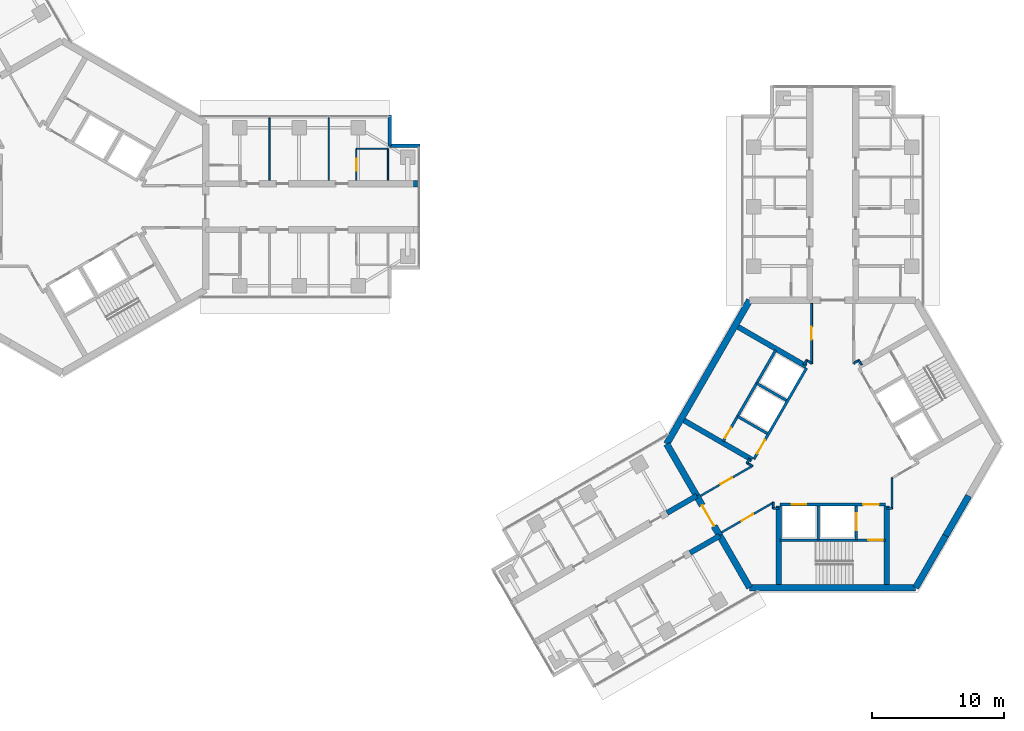
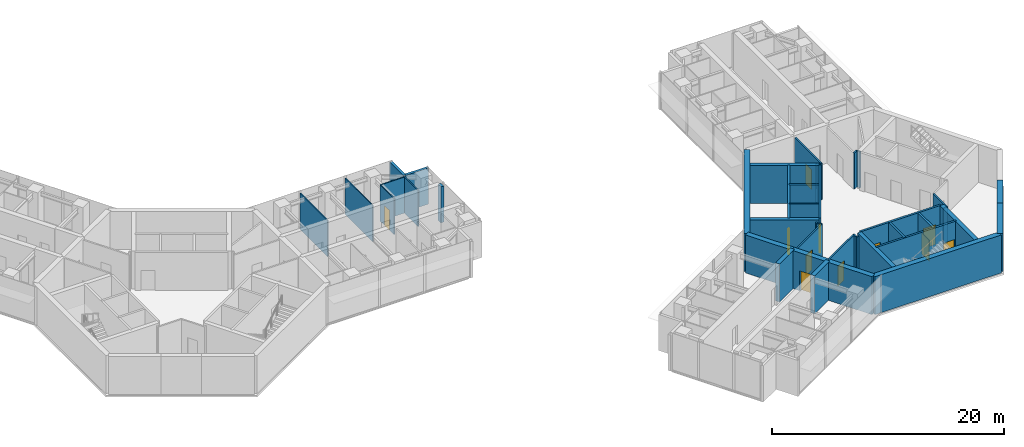
# One storey, part 14 of 18: 42 walls, 11 doors, 11 openings.
"""IFC4 building model written with IfcOpenShell, lengths in metres."""

from ifc_helpers import new_model, si_unit, direction, frame, frame_2d, origin, place, context, subcontext, project, spatial, rectangle, extrude, material, layer, layer_set, type_object, element, fill, save


model = new_model("IFC4")

# Units and contexts
model_context = context("Model", 3, precision=1e-05, world=origin(), true_north=direction((0.0, 1.0)))
body_context = subcontext(model_context, "Body", "Model", "MODEL_VIEW")
ifc_project = project(units=[si_unit("LENGTHUNIT", "METRE"), si_unit("AREAUNIT", "SQUARE_METRE"), si_unit("VOLUMEUNIT", "CUBIC_METRE"), si_unit("PLANEANGLEUNIT", "RADIAN"), si_unit("MASSUNIT", "GRAM", prefix="KILO")], contexts=[model_context])

# Site, building, storey
site_placement = place(None, origin())
site = spatial("IfcSite", under=ifc_project, at=site_placement, CompositionType="ELEMENT")
building_placement = place(site_placement, origin())
building = spatial("IfcBuilding", under=site, at=building_placement, Name="Upepo Twin Towers", CompositionType="ELEMENT")
storey_placement = place(building_placement, frame((0.0, 0.0, 218.5)))
storey = spatial("IfcBuildingStorey", under=building, at=storey_placement, Name="L53", CompositionType="ELEMENT", Elevation=218.5)

# Walls
ifc_material_1 = material(Name="Dense concrete blockwork", Category="masonry")
ifc_layer_1 = layer(ifc_material_1, 0.5)
ifc_layer_set_1 = layer_set([ifc_layer_1], Name="Buttress closer 500, blockwork with fire-stopping to the curtain wall")
wall_type_1 = type_object("IfcWallType", Name="Buttress closer 500, blockwork with fire-stopping to the curtain wall", PredefinedType="PARTITIONING", material=ifc_layer_set_1)
wall_1_placement = place(storey_placement, frame((26.699951171875, 1.75, 0.0), z_axis=(0.0, 0.0, 1.0), x_axis=(1.0, 0.0, 0.0)))
element("IfcWall", 1, at=wall_1_placement, inside=storey, type_object=wall_type_1, Name="T1 L53 wing A buttress closer L", PredefinedType="PARTITIONING", context=body_context, shape_type="SweptSolid", body=[
    extrude(rectangle(XDim=0.28759765625, YDim=0.5, at=frame_2d((0.143798828125, 0.0))), origin(), (0.0, 0.0, 1.0), 3.800048828125),
])
ifc_material_2 = material(Name="Concrete C60/75", Category="concrete")
ifc_layer_2 = layer(ifc_material_2, 0.39990234375)
ifc_layer_set_2 = layer_set([ifc_layer_2], Name="Concrete C60/75")
wall_type_2 = type_object("IfcWallType", Name="Buttress wall 400 RC", PredefinedType="SHEAR", material=ifc_layer_set_2)
for number, where, z_axis, x_axis, name in (
    (2, (49.92822265625, -24.9697265625, 0.0), (0.0, 0.0, 1.0), (-0.866031863473, -0.499988811324, 0.0), "T2 wing B buttress wall L"),
    (3, (48.17822265625, -21.938720703125, 0.0), (0.0, 0.0, 1.0), (-0.866072649678, -0.499918158782, 0.0), "T2 wing B buttress wall R"),
):
    element("IfcWall", number, at=place(storey_placement, frame(where, z_axis=z_axis, x_axis=x_axis)), inside=storey, type_object=wall_type_2, Name=name, PredefinedType="SHEAR", context=body_context, shape_type="SweptSolid", body=[
        extrude(rectangle(XDim=2.591796875, YDim=0.39990234375, at=frame_2d((1.2958984375, 0.0))), origin(), (0.0, 0.0, 1.0), 4.0),
    ])
ifc_material_3 = material(Name="Concrete C60/75", Category="concrete")
ifc_layer_3 = layer(ifc_material_3, 0.5)
ifc_layer_set_3 = layer_set([ifc_layer_3], Name="Concrete C60/75")
wall_type_3 = type_object("IfcWallType", Name="Core wall 500 RC", PredefinedType="SHEAR", material=ifc_layer_set_3)
wall_2_placement = place(storey_placement, frame((52.2021484375, -7.091552734375, 0.0), z_axis=(0.0, 0.0, 1.0), x_axis=(-0.500005998175, -0.866021940709, 0.0)))
element("IfcWall", 4, at=wall_2_placement, inside=storey, type_object=wall_type_3, Name="T2 core wall 060", PredefinedType="SHEAR", context=body_context, shape_type="SweptSolid", body=[
    extrude(rectangle(XDim=12.595947265625, YDim=0.5, at=frame_2d((6.2978515625, 0.0))), origin(), (0.0, 0.0, 1.0), 4.0),
])
wall_3_placement = place(storey_placement, frame((45.904052734375, -18.0, 0.0), z_axis=(0.0, 0.0, 1.0), x_axis=(0.500024481964, -0.866011268655, 0.0)))
element("IfcWall", 5, at=wall_3_placement, inside=storey, type_object=wall_type_3, Name="T2 core wall 120 R", PredefinedType="SHEAR", context=body_context, shape_type="SweptSolid", body=[
    extrude(rectangle(XDim=4.548095703125, YDim=0.5, at=frame_2d((2.27392578125, 0.0))), origin(), (0.0, 0.0, 1.0), 4.0),
])

# Wall, opening, door
wall_4_placement = place(storey_placement, frame((48.17822265625, -21.938720703125, 0.0), z_axis=(0.0, 0.0, 1.0), x_axis=(0.500010275428, -0.866019471182, 0.0)))
wall_4 = element("IfcWall", 6, at=wall_4_placement, inside=storey, type_object=wall_type_3, Name="T2 core wall 120", PredefinedType="SHEAR", context=body_context, shape_type="SweptSolid", body=[
    extrude(rectangle(XDim=3.5, YDim=0.5, at=frame_2d((1.75, 0.0))), origin(), (0.0, 0.0, 1.0), 4.0),
])
opening_1_placement = place(wall_4_placement, frame((0.85009765625, 0.0, 0.0)))
opening_1 = element("IfcOpeningElement", 7, at=opening_1_placement, cuts=wall_4, Name="Opening D2", PredefinedType="OPENING", context=body_context, shape_type="SweptSolid", body=[
    extrude(rectangle(XDim=1.800048828125, YDim=2.10009765625, at=frame_2d((0.89990234375, 1.050048828125))), frame((0.0, 0.260009765625, 0.0), z_axis=(0.0, -1.0, 0.0), x_axis=(1.0, 0.0, 0.0)), (0.0, 0.0, 1.0), 0.52001953125),
])
ifc_material_4 = material(Name="Timber doorset", Category="wood")
door_type_1 = type_object("IfcDoorType", Name="Corridor double door 1800 FD60", OperationType="DOUBLE_DOOR_DOUBLE_SWING", PredefinedType="DOOR", material=ifc_material_4)
door_1_placement = place(opening_1_placement, origin())
door_1 = element("IfcDoor", 8, at=door_1_placement, inside=storey, type_object=door_type_1, Name="T2 L53 wing B corridor door", OperationType="DOUBLE_DOOR_DOUBLE_SWING", OverallHeight=2.10009765625, OverallWidth=1.800048828125, PredefinedType="DOOR", context=body_context, shape_type="SweptSolid", body=[
    extrude(rectangle(XDim=1.800048828125, YDim=2.10009765625, at=frame_2d((0.89990234375, 1.050048828125))), frame((0.0, 0.02490234375, 0.0), z_axis=(0.0, -1.0, 0.0), x_axis=(1.0, 0.0, 0.0)), (0.0, 0.0, 1.0), 0.050048828125),
])
fill(opening_1, door_1)

# Walls
wall_5_placement = place(storey_placement, frame((49.92822265625, -24.9697265625, 0.0), z_axis=(0.0, 0.0, 1.0), x_axis=(0.499984222037, -0.866034513004, 0.0)))
element("IfcWall", 9, at=wall_5_placement, inside=storey, type_object=wall_type_3, Name="T2 core wall 120 L", PredefinedType="SHEAR", context=body_context, shape_type="SweptSolid", body=[
    extrude(rectangle(XDim=4.548095703125, YDim=0.5, at=frame_2d((2.27392578125, 0.0))), origin(), (0.0, 0.0, 1.0), 4.0),
])
wall_6_placement = place(storey_placement, frame((52.2021484375, -28.908447265625, 0.0), z_axis=(0.0, 0.0, 1.0), x_axis=(1.0, 0.0, 0.0)))
element("IfcWall", 10, at=wall_6_placement, inside=storey, type_object=wall_type_3, Name="T2 core wall 180", PredefinedType="SHEAR", context=body_context, shape_type="SweptSolid", body=[
    extrude(rectangle(XDim=12.595703125, YDim=0.5, at=frame_2d((6.2978515625, 0.0))), origin(), (0.0, 0.0, 1.0), 4.0),
])
wall_7_placement = place(storey_placement, frame((64.7978515625, -28.908447265625, 0.0), z_axis=(0.0, 0.0, 1.0), x_axis=(0.499984222037, 0.866034513004, 0.0)))
element("IfcWall", 11, at=wall_7_placement, inside=storey, type_object=wall_type_3, Name="T2 core wall 240 R", PredefinedType="SHEAR", context=body_context, shape_type="SweptSolid", body=[
    extrude(rectangle(XDim=4.548095703125, YDim=0.5, at=frame_2d((2.27392578125, 0.0))), origin(), (0.0, 0.0, 1.0), 4.0),
])
wall_8_placement = place(storey_placement, frame((67.07177734375, -24.9697265625, 0.0), z_axis=(0.0, 0.0, 1.0), x_axis=(0.500010275428, 0.866019471182, 0.0)))
element("IfcWall", 12, at=wall_8_placement, inside=storey, type_object=wall_type_3, Name="T2 core wall 240", PredefinedType="SHEAR", context=body_context, shape_type="SweptSolid", body=[
    extrude(rectangle(XDim=3.5, YDim=0.5, at=frame_2d((1.75, 0.0))), origin(), (0.0, 0.0, 1.0), 4.0),
])
ifc_material_5 = material(Name="Blockwork with anodised aluminium cladding", Category="masonry")
ifc_layer_4 = layer(ifc_material_5, 0.25)
ifc_layer_set_4 = layer_set([ifc_layer_4], Name="Notch cladding wall 250, pale metal")
wall_type_4 = type_object("IfcWallType", Name="Notch cladding wall 250, pale metal", PredefinedType="STANDARD", material=ifc_layer_set_4)
for number, where, z_axis, x_axis, name in (
    (13, (24.875, 6.949951171875, 0.0), (0.0, 0.0, 1.0), (0.0, -1.0, 0.0), "T1 L53 wing A notch wall L1"),
    (14, (24.875, 4.625, 0.0), (0.0, 0.0, 1.0), (1.0, 0.0, 0.0), "T1 L53 wing A notch wall L2"),
):
    element("IfcWall", number, at=place(storey_placement, frame(where, z_axis=z_axis, x_axis=x_axis)), inside=storey, type_object=wall_type_4, Name=name, PredefinedType="STANDARD", context=body_context, shape_type="SweptSolid", body=[
        extrude(rectangle(XDim=2.324951171875, YDim=0.25, at=frame_2d((1.16259765625, 0.0))), origin(), (0.0, 0.0, 1.0), 3.800048828125),
    ])
ifc_material_6 = material(Name="Gypsum board on steel studs", Category="steel")
ifc_layer_5 = layer(ifc_material_6, 0.10009765625)
ifc_layer_set_5 = layer_set([ifc_layer_5], Name="Office partition 100 stud")
wall_type_5 = type_object("IfcWallType", Name="Office partition 100 stud", PredefinedType="PARTITIONING", material=ifc_layer_set_5)
for number, where, z_axis, x_axis, name in (
    (15, (15.75, 2.0, 0.0), (0.0, 0.0, 1.0), (0.0, 1.0, 0.0), "T1 partition AL at 15.75"),
    (16, (20.25, 2.0, 0.0), (0.0, 0.0, 1.0), (0.0, 1.0, 0.0), "T1 partition AL at 20.25"),
):
    element("IfcWall", number, at=place(storey_placement, frame(where, z_axis=z_axis, x_axis=x_axis)), inside=storey, type_object=wall_type_5, Name=name, PredefinedType="PARTITIONING", context=body_context, shape_type="SweptSolid", body=[
        extrude(rectangle(XDim=4.75, YDim=0.10009765625, at=frame_2d((2.375, 0.0))), origin(), (0.0, 0.0, 1.0), 3.800048828125),
    ])
wall_9_placement = place(storey_placement, frame((22.35009765625, 4.39990234375, 0.0), z_axis=(0.0, 0.0, 1.0), x_axis=(1.0, 0.0, 0.0)))
element("IfcWall", 17, at=wall_9_placement, inside=storey, type_object=wall_type_5, Name="T1 inner room partition AL at 22.35", PredefinedType="PARTITIONING", context=body_context, shape_type="SweptSolid", body=[
    extrude(rectangle(XDim=2.39990234375, YDim=0.10009765625, at=frame_2d((1.199951171875, 0.0))), origin(), (0.0, 0.0, 1.0), 3.800048828125),
])

# Wall, opening, door
wall_10_placement = place(storey_placement, frame((22.35009765625, 2.0, 0.0), z_axis=(0.0, 0.0, 1.0), x_axis=(0.0, 1.0, 0.0)))
wall_10 = element("IfcWall", 18, at=wall_10_placement, inside=storey, type_object=wall_type_5, Name="T1 inner room partition AL end at 22.35", PredefinedType="PARTITIONING", context=body_context, shape_type="SweptSolid", body=[
    extrude(rectangle(XDim=2.39990234375, YDim=0.10009765625, at=frame_2d((1.199951171875, 0.0))), origin(), (0.0, 0.0, 1.0), 3.800048828125),
])
opening_2_placement = place(wall_10_placement, frame((0.75, 0.0, 0.0)))
opening_2 = element("IfcOpeningElement", 19, at=opening_2_placement, cuts=wall_10, Name="Opening D14", PredefinedType="OPENING", context=body_context, shape_type="SweptSolid", body=[
    extrude(rectangle(XDim=0.89990234375, YDim=2.10009765625, at=frame_2d((0.449951171875, 1.050048828125))), frame((0.0, 0.06005859375, 0.0), z_axis=(0.0, -1.0, 0.0), x_axis=(1.0, 0.0, 0.0)), (0.0, 0.0, 1.0), 0.1201171875),
])
ifc_material_7 = material(Name="Timber doorset", Category="wood")
door_type_2 = type_object("IfcDoorType", Name="Office door 900 FD30", OperationType="SINGLE_SWING_LEFT", PredefinedType="DOOR", material=ifc_material_7)
door_2_placement = place(opening_2_placement, origin())
door_2 = element("IfcDoor", 20, at=door_2_placement, inside=storey, type_object=door_type_2, Name="T1 L53 inner room door", OperationType="SINGLE_SWING_LEFT", OverallHeight=2.10009765625, OverallWidth=0.89990234375, PredefinedType="DOOR", context=body_context, shape_type="SweptSolid", body=[
    extrude(rectangle(XDim=0.89990234375, YDim=2.10009765625, at=frame_2d((0.449951171875, 1.050048828125))), frame((0.0, 0.02490234375, 0.0), z_axis=(0.0, -1.0, 0.0), x_axis=(1.0, 0.0, 0.0)), (0.0, 0.0, 1.0), 0.050048828125),
])
fill(opening_2, door_2)

# Wall
wall_11_placement = place(storey_placement, frame((24.75, 2.0, 0.0), z_axis=(0.0, 0.0, 1.0), x_axis=(0.0, 1.0, 0.0)))
element("IfcWall", 21, at=wall_11_placement, inside=storey, type_object=wall_type_5, Name="T1 inner room partition AL end at 24.75", PredefinedType="PARTITIONING", context=body_context, shape_type="SweptSolid", body=[
    extrude(rectangle(XDim=2.39990234375, YDim=0.10009765625, at=frame_2d((1.199951171875, 0.0))), origin(), (0.0, 0.0, 1.0), 3.800048828125),
])

# Wall, opening, door
ifc_material_8 = material(Name="Concrete C40/50", Category="concrete")
ifc_layer_6 = layer(ifc_material_8, 0.199951171875)
ifc_layer_set_6 = layer_set([ifc_layer_6], Name="Concrete C40/50")
wall_type_6 = type_object("IfcWallType", Name="Shaft wall 200 RC", PredefinedType="SHEAR", material=ifc_layer_set_6)
wall_12_placement = place(storey_placement, frame((56.516357421875, -12.23583984375, 0.0), z_axis=(0.0, 0.0, 1.0), x_axis=(-0.49999894854, -0.866026010844, 0.0)))
wall_12 = element("IfcWall", 22, at=wall_12_placement, inside=storey, type_object=wall_type_6, Name="T2 core W60 front wall", PredefinedType="SHEAR", context=body_context, shape_type="SweptSolid", body=[
    extrude(rectangle(XDim=8.0, YDim=0.199951171875, at=frame_2d((4.0, 0.0))), origin(), (0.0, 0.0, 1.0), 4.0),
])
opening_3_placement = place(wall_12_placement, frame((6.300048828125, 0.0, 0.0)))
opening_3 = element("IfcOpeningElement", 23, at=opening_3_placement, cuts=wall_12, Name="Opening D4", PredefinedType="OPENING", context=body_context, shape_type="SweptSolid", body=[
    extrude(rectangle(XDim=1.199951171875, YDim=2.10009765625, at=frame_2d((0.60009765625, 1.050048828125))), frame((0.0, 0.10986328125, 0.0), z_axis=(0.0, -1.0, 0.0), x_axis=(1.0, 0.0, 0.0)), (0.0, 0.0, 1.0), 0.219970703125),
])
ifc_material_9 = material(Name="Timber doorset", Category="wood")
door_type_3 = type_object("IfcDoorType", Name="Lobby door 1200 FD60", OperationType="SINGLE_SWING_LEFT", PredefinedType="DOOR", material=ifc_material_9)
door_3_placement = place(opening_3_placement, origin())
door_3 = element("IfcDoor", 24, at=door_3_placement, inside=storey, type_object=door_type_3, Name="T2 L53 W60 lobby door", OperationType="SINGLE_SWING_RIGHT", OverallHeight=2.10009765625, OverallWidth=1.199951171875, PredefinedType="DOOR", context=body_context, shape_type="SweptSolid", body=[
    extrude(rectangle(XDim=1.199951171875, YDim=2.10009765625, at=frame_2d((0.60009765625, 1.050048828125))), frame((0.0, 0.02490234375, 0.0), z_axis=(0.0, -1.0, 0.0), x_axis=(1.0, 0.0, 0.0)), (0.0, 0.0, 1.0), 0.050048828125),
])
fill(opening_3, door_3)

# Walls
for number, where, z_axis, x_axis, name in (
    (25, (54.979736328125, -14.697265625, 0.0), (0.0, 0.0, 1.0), (-0.866062058628, 0.499936506574, 0.0), "T2 core W60 shaft divider"),
    (26, (53.52978515625, -17.208740234375, 0.0), (0.0, 0.0, 1.0), (-0.866062058628, 0.499936506574, 0.0), "T2 core W60 lobby wall"),
):
    element("IfcWall", number, at=place(storey_placement, frame(where, z_axis=z_axis, x_axis=x_axis)), inside=storey, type_object=wall_type_6, Name=name, PredefinedType="SHEAR", context=body_context, shape_type="SweptSolid", body=[
        extrude(rectangle(XDim=2.599853515625, YDim=0.199951171875, at=frame_2d((1.2998046875, 0.0))), origin(), (0.0, 0.0, 1.0), 4.0),
    ])

# Wall, opening, door
wall_13_placement = place(storey_placement, frame((54.177978515625, -10.885986328125, 0.0), z_axis=(0.0, 0.0, 1.0), x_axis=(-0.49999894854, -0.866026010844, 0.0)))
wall_13 = element("IfcWall", 27, at=wall_13_placement, inside=storey, type_object=wall_type_6, Name="T2 core W60 stair wall", PredefinedType="SHEAR", context=body_context, shape_type="SweptSolid", body=[
    extrude(rectangle(XDim=8.0, YDim=0.199951171875, at=frame_2d((4.0, 0.0))), origin(), (0.0, 0.0, 1.0), 4.0),
])
opening_4_placement = place(wall_13_placement, frame((6.800048828125, 0.0, 0.0)))
opening_4 = element("IfcOpeningElement", 28, at=opening_4_placement, cuts=wall_13, Name="Opening D9", PredefinedType="OPENING", context=body_context, shape_type="SweptSolid", body=[
    extrude(rectangle(XDim=0.89990234375, YDim=2.10009765625, at=frame_2d((0.449951171875, 1.050048828125))), frame((0.0, 0.10986328125, 0.0), z_axis=(0.0, -1.0, 0.0), x_axis=(1.0, 0.0, 0.0)), (0.0, 0.0, 1.0), 0.219970703125),
])
ifc_material_10 = material(Name="Timber doorset", Category="wood")
door_type_4 = type_object("IfcDoorType", Name="Riser door 900 FD60", OperationType="SINGLE_SWING_LEFT", PredefinedType="DOOR", material=ifc_material_10)
door_4_placement = place(opening_4_placement, origin())
door_4 = element("IfcDoor", 29, at=door_4_placement, inside=storey, type_object=door_type_4, Name="T2 L53 riser door", OperationType="SINGLE_SWING_RIGHT", OverallHeight=2.10009765625, OverallWidth=0.89990234375, PredefinedType="DOOR", context=body_context, shape_type="SweptSolid", body=[
    extrude(rectangle(XDim=0.89990234375, YDim=2.10009765625, at=frame_2d((0.449951171875, 1.050048828125))), frame((0.0, 0.02490234375, 0.0), z_axis=(0.0, -1.0, 0.0), x_axis=(1.0, 0.0, 0.0)), (0.0, 0.0, 1.0), 0.050048828125),
])
fill(opening_4, door_4)

# Wall, openings, doors
wall_14_placement = place(storey_placement, frame((54.5, -22.60009765625, 0.0), z_axis=(0.0, 0.0, 1.0), x_axis=(1.0, 0.0, 0.0)))
wall_14 = element("IfcWall", 30, at=wall_14_placement, inside=storey, type_object=wall_type_6, Name="T2 core W180 front wall", PredefinedType="SHEAR", context=body_context, shape_type="SweptSolid", body=[
    extrude(rectangle(XDim=8.0, YDim=0.199951171875, at=frame_2d((4.0, 0.0))), origin(), (0.0, 0.0, 1.0), 4.0),
])
opening_5_placement = place(wall_14_placement, frame((6.300048828125, 0.0, 0.0)))
opening_5 = element("IfcOpeningElement", 31, at=opening_5_placement, cuts=wall_14, Name="Opening D4", PredefinedType="OPENING", context=body_context, shape_type="SweptSolid", body=[
    extrude(rectangle(XDim=1.199951171875, YDim=2.10009765625, at=frame_2d((0.60009765625, 1.050048828125))), frame((0.0, 0.10986328125, 0.0), z_axis=(0.0, -1.0, 0.0), x_axis=(1.0, 0.0, 0.0)), (0.0, 0.0, 1.0), 0.219970703125),
])
opening_6_placement = place(wall_14_placement, frame((0.89990234375, 0.0, 0.0)))
opening_6 = element("IfcOpeningElement", 32, at=opening_6_placement, cuts=wall_14, Name="Opening LD1", PredefinedType="OPENING", context=body_context, shape_type="SweptSolid", body=[
    extrude(rectangle(XDim=1.10009765625, YDim=2.199951171875, at=frame_2d((0.550048828125, 1.10009765625))), frame((0.0, 0.10986328125, 0.0), z_axis=(0.0, -1.0, 0.0), x_axis=(1.0, 0.0, 0.0)), (0.0, 0.0, 1.0), 0.219970703125),
])
ifc_material_11 = material(Name="Steel doorset", Category="steel")
door_type_5 = type_object("IfcDoorType", Name="Lift landing door 1100", OperationType="DOUBLE_DOOR_SLIDING", PredefinedType="DOOR", material=ifc_material_11)
door_5_placement = place(opening_6_placement, origin())
door_5 = element("IfcDoor", 33, at=door_5_placement, inside=storey, type_object=door_type_5, Name="T2 L53 lift SV1 landing door", OperationType="DOUBLE_DOOR_SLIDING", OverallHeight=2.199951171875, OverallWidth=1.10009765625, PredefinedType="DOOR", context=body_context, shape_type="SweptSolid", body=[
    extrude(rectangle(XDim=1.10009765625, YDim=2.199951171875, at=frame_2d((0.550048828125, 1.10009765625))), frame((0.0, 0.02490234375, 0.0), z_axis=(0.0, -1.0, 0.0), x_axis=(1.0, 0.0, 0.0)), (0.0, 0.0, 1.0), 0.050048828125),
])
fill(opening_6, door_5)
door_6_placement = place(opening_5_placement, origin())
door_6 = element("IfcDoor", 34, at=door_6_placement, inside=storey, type_object=door_type_3, Name="T2 L53 W180 lobby door", OperationType="SINGLE_SWING_RIGHT", OverallHeight=2.10009765625, OverallWidth=1.199951171875, PredefinedType="DOOR", context=body_context, shape_type="SweptSolid", body=[
    extrude(rectangle(XDim=1.199951171875, YDim=2.10009765625, at=frame_2d((0.60009765625, 1.050048828125))), frame((0.0, 0.02490234375, 0.0), z_axis=(0.0, -1.0, 0.0), x_axis=(1.0, 0.0, 0.0)), (0.0, 0.0, 1.0), 0.050048828125),
])
fill(opening_5, door_6)

# Wall
wall_15_placement = place(storey_placement, frame((57.39990234375, -22.699951171875, 0.0), z_axis=(0.0, 0.0, 1.0), x_axis=(0.0, -1.0, 0.0)))
element("IfcWall", 35, at=wall_15_placement, inside=storey, type_object=wall_type_6, Name="T2 core W180 shaft divider", PredefinedType="SHEAR", context=body_context, shape_type="SweptSolid", body=[
    extrude(rectangle(XDim=2.60009765625, YDim=0.199951171875, at=frame_2d((1.300048828125, 0.0))), origin(), (0.0, 0.0, 1.0), 4.0),
])

# Wall, opening, door
wall_16_placement = place(storey_placement, frame((60.300048828125, -22.699951171875, 0.0), z_axis=(0.0, 0.0, 1.0), x_axis=(0.0, -1.0, 0.0)))
wall_16 = element("IfcWall", 36, at=wall_16_placement, inside=storey, type_object=wall_type_6, Name="T2 core W180 lobby wall", PredefinedType="SHEAR", context=body_context, shape_type="SweptSolid", body=[
    extrude(rectangle(XDim=2.60009765625, YDim=0.199951171875, at=frame_2d((1.300048828125, 0.0))), origin(), (0.0, 0.0, 1.0), 4.0),
])
opening_7_placement = place(wall_16_placement, frame((0.550048828125, 0.0, 0.0)))
opening_7 = element("IfcOpeningElement", 37, at=opening_7_placement, cuts=wall_16, Name="Opening LD2", PredefinedType="OPENING", context=body_context, shape_type="SweptSolid", body=[
    extrude(rectangle(XDim=1.300048828125, YDim=2.199951171875, at=frame_2d((0.64990234375, 1.10009765625))), frame((0.0, 0.10986328125, 0.0), z_axis=(0.0, -1.0, 0.0), x_axis=(1.0, 0.0, 0.0)), (0.0, 0.0, 1.0), 0.219970703125),
])
ifc_material_12 = material(Name="Steel doorset", Category="steel")
door_type_6 = type_object("IfcDoorType", Name="Firefighting lift landing door 1300", OperationType="DOUBLE_DOOR_SLIDING", PredefinedType="DOOR", material=ifc_material_12)
door_7_placement = place(opening_7_placement, origin())
door_7 = element("IfcDoor", 38, at=door_7_placement, inside=storey, type_object=door_type_6, Name="T2 L53 firefighting lift landing door", OperationType="DOUBLE_DOOR_SLIDING", OverallHeight=2.199951171875, OverallWidth=1.300048828125, PredefinedType="DOOR", context=body_context, shape_type="SweptSolid", body=[
    extrude(rectangle(XDim=1.300048828125, YDim=2.199951171875, at=frame_2d((0.64990234375, 1.10009765625))), frame((0.0, 0.02490234375, 0.0), z_axis=(0.0, -1.0, 0.0), x_axis=(1.0, 0.0, 0.0)), (0.0, 0.0, 1.0), 0.050048828125),
])
fill(opening_7, door_7)

wall_17_placement = place(storey_placement, frame((54.5, -25.300048828125, 0.0), z_axis=(0.0, 0.0, 1.0), x_axis=(1.0, 0.0, 0.0)))
wall_17 = element("IfcWall", 39, at=wall_17_placement, inside=storey, type_object=wall_type_6, Name="T2 core W180 stair wall", PredefinedType="SHEAR", context=body_context, shape_type="SweptSolid", body=[
    extrude(rectangle(XDim=8.0, YDim=0.199951171875, at=frame_2d((4.0, 0.0))), origin(), (0.0, 0.0, 1.0), 4.0),
])
opening_8_placement = place(wall_17_placement, frame((6.699951171875, 0.0, 0.0)))
opening_8 = element("IfcOpeningElement", 40, at=opening_8_placement, cuts=wall_17, Name="Opening D3", PredefinedType="OPENING", context=body_context, shape_type="SweptSolid", body=[
    extrude(rectangle(XDim=1.10009765625, YDim=2.10009765625, at=frame_2d((0.550048828125, 1.050048828125))), frame((0.0, 0.10986328125, 0.0), z_axis=(0.0, -1.0, 0.0), x_axis=(1.0, 0.0, 0.0)), (0.0, 0.0, 1.0), 0.219970703125),
])
ifc_material_13 = material(Name="Timber doorset", Category="wood")
door_type_7 = type_object("IfcDoorType", Name="Stair door 1100 FD60", OperationType="SINGLE_SWING_LEFT", PredefinedType="DOOR", material=ifc_material_13)
door_8_placement = place(opening_8_placement, origin())
door_8 = element("IfcDoor", 41, at=door_8_placement, inside=storey, type_object=door_type_7, Name="T2 L53 stair door", OperationType="SINGLE_SWING_RIGHT", OverallHeight=2.10009765625, OverallWidth=1.10009765625, PredefinedType="DOOR", context=body_context, shape_type="SweptSolid", body=[
    extrude(rectangle(XDim=1.10009765625, YDim=2.10009765625, at=frame_2d((0.550048828125, 1.050048828125))), frame((0.0, 0.02490234375, 0.0), z_axis=(0.0, -1.0, 0.0), x_axis=(1.0, 0.0, 0.0)), (0.0, 0.0, 1.0), 0.050048828125),
])
fill(opening_8, door_8)

# Walls
ifc_material_14 = material(Name="Concrete C40/50", Category="concrete")
ifc_layer_7 = layer(ifc_material_14, 0.39990234375)
ifc_layer_set_7 = layer_set([ifc_layer_7], Name="Concrete C40/50")
wall_type_7 = type_object("IfcWallType", Name="Shaft wall 400 RC", PredefinedType="SHEAR", material=ifc_layer_set_7)
wall_18_placement = place(storey_placement, frame((52.379638671875, -19.20068359375, 0.0), z_axis=(0.0, 0.0, 1.0), x_axis=(-0.866012946976, 0.500021575205, 0.0)))
element("IfcWall", 42, at=wall_18_placement, inside=storey, type_object=wall_type_7, Name="T2 core W60 side wall N", PredefinedType="SHEAR", context=body_context, shape_type="SweptSolid", body=[
    extrude(rectangle(XDim=5.958251953125, YDim=0.39990234375, at=frame_2d((2.97900390625, 0.0))), origin(), (0.0, 0.0, 1.0), 4.0),
])
for number, where, z_axis, x_axis, name in (
    (43, (56.479736328125, -12.099365234375, 0.0), (0.0, 0.0, 1.0), (-0.86602319114, 0.500003832394, 0.0), "T2 core W60 side wall S"),
    (44, (62.60009765625, -22.699951171875, 0.0), (0.0, 0.0, 1.0), (0.0, -1.0, 0.0), "T2 core W180 side wall N"),
    (45, (54.39990234375, -22.699951171875, 0.0), (0.0, 0.0, 1.0), (0.0, -1.0, 0.0), "T2 core W180 side wall S"),
):
    element("IfcWall", number, at=place(storey_placement, frame(where, z_axis=z_axis, x_axis=x_axis)), inside=storey, type_object=wall_type_7, Name=name, PredefinedType="SHEAR", context=body_context, shape_type="SweptSolid", body=[
        extrude(rectangle(XDim=5.95849609375, YDim=0.39990234375, at=frame_2d((2.979248046875, 0.0))), origin(), (0.0, 0.0, 1.0), 4.0),
    ])
ifc_material_15 = material(Name="Gypsum board on steel studs", Category="steel")
ifc_layer_8 = layer(ifc_material_15, 0.14990234375)
ifc_layer_set_8 = layer_set([ifc_layer_8], Name="Teaching partition 150 acoustic")
wall_type_8 = type_object("IfcWallType", Name="Teaching partition 150 acoustic", PredefinedType="PARTITIONING", material=ifc_layer_set_8)
for number, where, z_axis, x_axis, name in (
    (46, (63.02001953125, -22.89990234375, 0.0), (0.0, 0.0, 1.0), (-1.0, 0.0, 0.0), "T2 core room partition 1"),
    (47, (54.409912109375, -22.89990234375, 0.0), (0.0, 0.0, 1.0), (-1.0, 0.0, 0.0), "T2 core room partition 2"),
):
    element("IfcWall", number, at=place(storey_placement, frame(where, z_axis=z_axis, x_axis=x_axis)), inside=storey, type_object=wall_type_8, Name=name, PredefinedType="PARTITIONING", context=body_context, shape_type="SweptSolid", body=[
        extrude(rectangle(XDim=0.429931640625, YDim=0.14990234375, at=frame_2d((0.21484375, 0.0))), origin(), (0.0, 0.0, 1.0), 3.800048828125),
    ])
wall_19_placement = place(storey_placement, frame((54.0, -22.919921875, 0.0), z_axis=(0.0, 0.0, 1.0), x_axis=(0.0, 1.0, 0.0)))
element("IfcWall", 48, at=wall_19_placement, inside=storey, type_object=wall_type_8, Name="T2 core room partition 3", PredefinedType="PARTITIONING", context=body_context, shape_type="SweptSolid", body=[
    extrude(rectangle(XDim=0.494384765625, YDim=0.14990234375, at=frame_2d((0.2470703125, 0.0))), origin(), (0.0, 0.0, 1.0), 3.800048828125),
])

# Wall, opening, door
wall_20_placement = place(storey_placement, frame((54.017333984375, -22.435546875, 0.0), z_axis=(0.0, 0.0, 1.0), x_axis=(-0.866024503882, -0.500001558674, 0.0)))
wall_20 = element("IfcWall", 49, at=wall_20_placement, inside=storey, type_object=wall_type_8, Name="T2 core room partition 4", PredefinedType="PARTITIONING", context=body_context, shape_type="SweptSolid", body=[
    extrude(rectangle(XDim=4.568359375, YDim=0.14990234375, at=frame_2d((2.2841796875, 0.0))), origin(), (0.0, 0.0, 1.0), 3.800048828125),
])
opening_9_placement = place(wall_20_placement, frame((1.794189453125, 0.0, 0.0)))
opening_9 = element("IfcOpeningElement", 50, at=opening_9_placement, cuts=wall_20, Name="Opening D1", PredefinedType="OPENING", context=body_context, shape_type="SweptSolid", body=[
    extrude(rectangle(XDim=1.0, YDim=2.10009765625, at=frame_2d((0.5, 1.050048828125))), frame((0.0, 0.0849609375, 0.0), z_axis=(0.0, -1.0, 0.0), x_axis=(1.0, 0.0, 0.0)), (0.0, 0.0, 1.0), 0.169921875),
])
ifc_material_16 = material(Name="Timber doorset", Category="wood")
door_type_8 = type_object("IfcDoorType", Name="Room door 1000 FD30", OperationType="SINGLE_SWING_LEFT", PredefinedType="DOOR", material=ifc_material_16)
door_9_placement = place(opening_9_placement, origin())
door_9 = element("IfcDoor", 51, at=door_9_placement, inside=storey, type_object=door_type_8, Name="T2 L53 core room door K2", OperationType="SINGLE_SWING_RIGHT", OverallHeight=2.10009765625, OverallWidth=1.0, PredefinedType="DOOR", context=body_context, shape_type="SweptSolid", body=[
    extrude(rectangle(XDim=1.0, YDim=2.10009765625, at=frame_2d((0.5, 1.050048828125))), frame((0.0, 0.02490234375, 0.0), z_axis=(0.0, -1.0, 0.0), x_axis=(1.0, 0.0, 0.0)), (0.0, 0.0, 1.0), 0.050048828125),
])
fill(opening_9, door_9)

wall_21_placement = place(storey_placement, frame((48.4609375, -21.948486328125, 0.0), z_axis=(0.0, 0.0, 1.0), x_axis=(0.866024503882, 0.500001558674, 0.0)))
wall_21 = element("IfcWall", 52, at=wall_21_placement, inside=storey, type_object=wall_type_8, Name="T2 core room partition 5", PredefinedType="PARTITIONING", context=body_context, shape_type="SweptSolid", body=[
    extrude(rectangle(XDim=4.568359375, YDim=0.14990234375, at=frame_2d((2.2841796875, 0.0))), origin(), (0.0, 0.0, 1.0), 3.800048828125),
])
opening_10_placement = place(wall_21_placement, frame((1.774169921875, 0.0, 0.0)))
opening_10 = element("IfcOpeningElement", 53, at=opening_10_placement, cuts=wall_21, Name="Opening D1", PredefinedType="OPENING", context=body_context, shape_type="SweptSolid", body=[
    extrude(rectangle(XDim=1.0, YDim=2.10009765625, at=frame_2d((0.5, 1.050048828125))), frame((0.0, 0.0849609375, 0.0), z_axis=(0.0, -1.0, 0.0), x_axis=(1.0, 0.0, 0.0)), (0.0, 0.0, 1.0), 0.169921875),
])
door_10_placement = place(opening_10_placement, origin())
door_10 = element("IfcDoor", 54, at=door_10_placement, inside=storey, type_object=door_type_8, Name="T2 L53 core room door K1", OperationType="SINGLE_SWING_LEFT", OverallHeight=2.10009765625, OverallWidth=1.0, PredefinedType="DOOR", context=body_context, shape_type="SweptSolid", body=[
    extrude(rectangle(XDim=1.0, YDim=2.10009765625, at=frame_2d((0.5, 1.050048828125))), frame((0.0, 0.02490234375, 0.0), z_axis=(0.0, -1.0, 0.0), x_axis=(1.0, 0.0, 0.0)), (0.0, 0.0, 1.0), 0.050048828125),
])
fill(opening_10, door_10)

# Walls
wall_22_placement = place(storey_placement, frame((52.417236328125, -19.684326171875, 0.0), z_axis=(0.0, 0.0, 1.0), x_axis=(-0.865831790172, 0.50033519877, 0.0)))
element("IfcWall", 55, at=wall_22_placement, inside=storey, type_object=wall_type_8, Name="T2 core room partition 6", PredefinedType="PARTITIONING", context=body_context, shape_type="SweptSolid", body=[
    extrude(rectangle(XDim=0.494384765625, YDim=0.14990234375, at=frame_2d((0.2470703125, 0.0))), origin(), (0.0, 0.0, 1.0), 3.800048828125),
])
for number, where, z_axis, x_axis, name in (
    (56, (51.99658203125, -19.46435546875, 0.0), (0.0, 0.0, 1.0), (0.499804398801, 0.866138304741, 0.0), "T2 core room partition 7"),
    (57, (56.301513671875, -12.0078125, 0.0), (0.0, 0.0, 1.0), (0.500230298122, 0.865892400268, 0.0), "T2 core room partition 8"),
):
    element("IfcWall", number, at=place(storey_placement, frame(where, z_axis=z_axis, x_axis=x_axis)), inside=storey, type_object=wall_type_8, Name=name, PredefinedType="PARTITIONING", context=body_context, shape_type="SweptSolid", body=[
        extrude(rectangle(XDim=0.429931640625, YDim=0.14990234375, at=frame_2d((0.21484375, 0.0))), origin(), (0.0, 0.0, 1.0), 3.800048828125),
    ])
wall_23_placement = place(storey_placement, frame((56.4892578125, -11.642822265625, 0.0), z_axis=(0.0, 0.0, 1.0), x_axis=(0.865831790172, -0.50033519877, 0.0)))
element("IfcWall", 58, at=wall_23_placement, inside=storey, type_object=wall_type_8, Name="T2 core room partition 9", PredefinedType="PARTITIONING", context=body_context, shape_type="SweptSolid", body=[
    extrude(rectangle(XDim=0.494384765625, YDim=0.14990234375, at=frame_2d((0.2470703125, 0.0))), origin(), (0.0, 0.0, 1.0), 3.800048828125),
])

# Wall, opening, door
wall_24_placement = place(storey_placement, frame((56.89990234375, -11.900146484375, 0.0), z_axis=(0.0, 0.0, 1.0), x_axis=(0.0, 1.0, 0.0)))
wall_24 = element("IfcWall", 59, at=wall_24_placement, inside=storey, type_object=wall_type_8, Name="T2 core room partition 10", PredefinedType="PARTITIONING", context=body_context, shape_type="SweptSolid", body=[
    extrude(rectangle(XDim=4.568359375, YDim=0.14990234375, at=frame_2d((2.2841796875, 0.0))), origin(), (0.0, 0.0, 1.0), 3.800048828125),
])
opening_11_placement = place(wall_24_placement, frame((1.79443359375, 0.0, 0.0)))
opening_11 = element("IfcOpeningElement", 60, at=opening_11_placement, cuts=wall_24, Name="Opening D1", PredefinedType="OPENING", context=body_context, shape_type="SweptSolid", body=[
    extrude(rectangle(XDim=1.0, YDim=2.10009765625, at=frame_2d((0.5, 1.050048828125))), frame((0.0, 0.0849609375, 0.0), z_axis=(0.0, -1.0, 0.0), x_axis=(1.0, 0.0, 0.0)), (0.0, 0.0, 1.0), 0.169921875),
])
door_11_placement = place(opening_11_placement, origin())
door_11 = element("IfcDoor", 61, at=door_11_placement, inside=storey, type_object=door_type_8, Name="T2 L53 core room door K6", OperationType="SINGLE_SWING_RIGHT", OverallHeight=2.10009765625, OverallWidth=1.0, PredefinedType="DOOR", context=body_context, shape_type="SweptSolid", body=[
    extrude(rectangle(XDim=1.0, YDim=2.10009765625, at=frame_2d((0.5, 1.050048828125))), frame((0.0, 0.02490234375, 0.0), z_axis=(0.0, -1.0, 0.0), x_axis=(1.0, 0.0, 0.0)), (0.0, 0.0, 1.0), 0.050048828125),
])
fill(opening_11, door_11)

# Walls
wall_25_placement = place(storey_placement, frame((60.082763671875, -11.89013671875, 0.0), z_axis=(0.0, 0.0, 1.0), x_axis=(0.865831790172, 0.50033519877, 0.0)))
element("IfcWall", 62, at=wall_25_placement, inside=storey, type_object=wall_type_8, Name="T2 core room partition 12", PredefinedType="PARTITIONING", context=body_context, shape_type="SweptSolid", body=[
    extrude(rectangle(XDim=0.494384765625, YDim=0.14990234375, at=frame_2d((0.2470703125, 0.0))), origin(), (0.0, 0.0, 1.0), 3.800048828125),
])
wall_26_placement = place(storey_placement, frame((60.4833984375, -11.635498046875, 0.0), z_axis=(0.0, 0.0, 1.0), x_axis=(0.500230298122, -0.865892400268, 0.0)))
element("IfcWall", 63, at=wall_26_placement, inside=storey, type_object=wall_type_8, Name="T2 core room partition 13", PredefinedType="PARTITIONING", context=body_context, shape_type="SweptSolid", body=[
    extrude(rectangle(XDim=0.429931640625, YDim=0.14990234375, at=frame_2d((0.21484375, 0.0))), origin(), (0.0, 0.0, 1.0), 3.800048828125),
])
wall_27_placement = place(storey_placement, frame((63.0, -20.578125, 0.0), z_axis=(0.0, 0.0, 1.0), x_axis=(0.0, -1.0, 0.0)))
element("IfcWall", 64, at=wall_27_placement, inside=storey, type_object=wall_type_8, Name="T2 core room partition 16", PredefinedType="PARTITIONING", context=body_context, shape_type="SweptSolid", body=[
    extrude(rectangle(XDim=2.341796875, YDim=0.14990234375, at=frame_2d((1.1708984375, 0.0))), origin(), (0.0, 0.0, 1.0), 3.800048828125),
])

save(model, "model.ifc")
